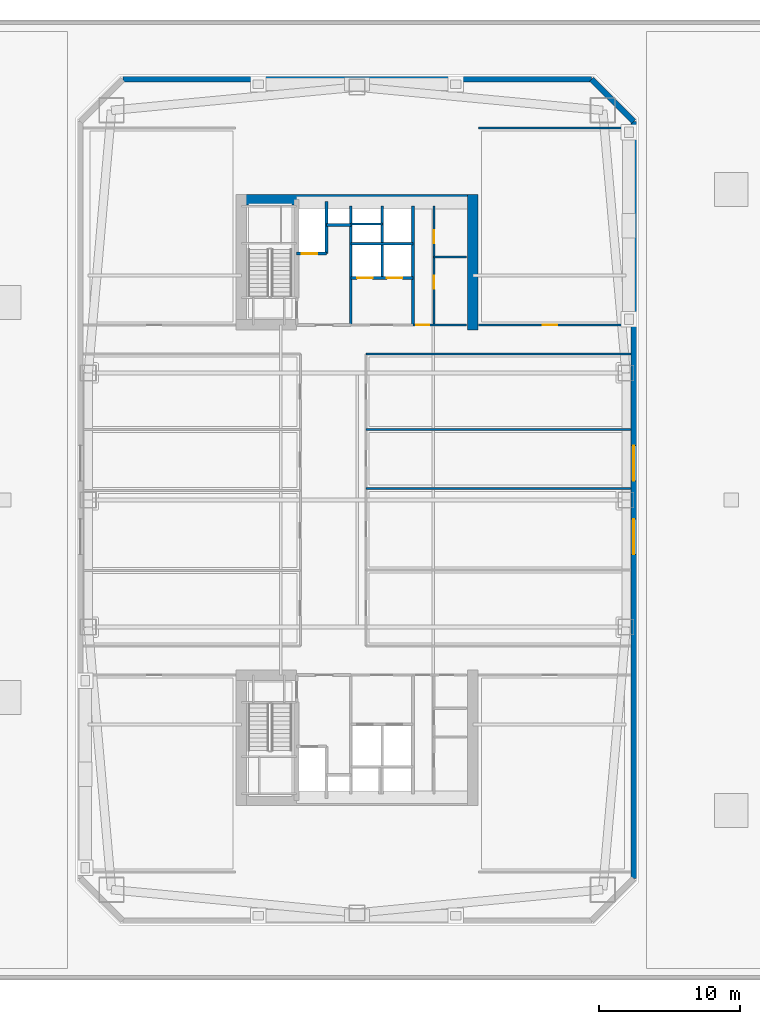
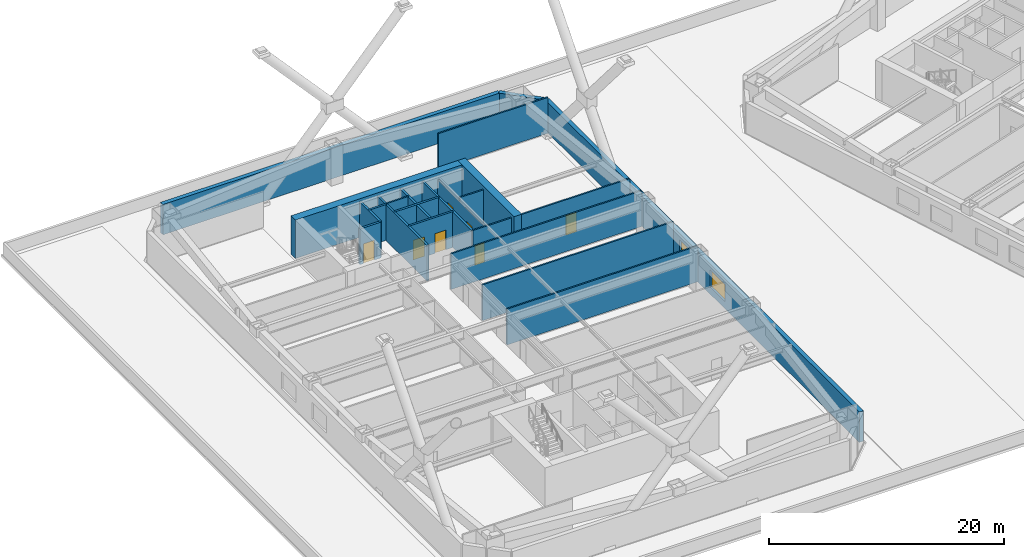
# One storey, part 8 of 20: 22 walls, 7 doors, 2 windows, 9 openings.
"""IFC4 building model written with IfcOpenShell, lengths in metres."""

from ifc_helpers import new_model, si_unit, direction, frame, frame_2d, origin, place, context, subcontext, project, spatial, rectangle, extrude, material, layer, layer_set, type_object, element, fill, save


model = new_model("IFC4")

# Units and contexts
model_context = context("Model", 3, precision=1e-05, world=origin(), true_north=direction((0.0, 1.0)))
body_context = subcontext(model_context, "Body", "Model", "MODEL_VIEW")
ifc_project = project(units=[si_unit("LENGTHUNIT", "METRE"), si_unit("AREAUNIT", "SQUARE_METRE"), si_unit("VOLUMEUNIT", "CUBIC_METRE"), si_unit("PLANEANGLEUNIT", "RADIAN"), si_unit("MASSUNIT", "GRAM", prefix="KILO")], contexts=[model_context])

# Site, building, storey
site_placement = place(None, origin())
site = spatial("IfcSite", under=ifc_project, at=site_placement, CompositionType="ELEMENT")
building_placement = place(site_placement, origin())
building = spatial("IfcBuilding", under=site, at=building_placement, Name="Qiaolan Cultural Towers", CompositionType="ELEMENT")
storey_placement = place(building_placement, frame((0.0, 0.0, 26.0)))
storey = spatial("IfcBuildingStorey", under=building, at=storey_placement, Name="L05", CompositionType="ELEMENT", Elevation=26.0)

# Walls
ifc_material_1 = material(Name="Concrete C60", Category="concrete")
ifc_layer_1 = layer(ifc_material_1, 0.75)
ifc_layer_set_1 = layer_set([ifc_layer_1], Name="Concrete C60")
wall_type_1 = type_object("IfcWallType", Name="WL-CORE-750", PredefinedType="SHEAR", material=ifc_layer_set_1)
wall_1_placement = place(storey_placement, frame((21.425048828125, 55.280029296875, 0.0), z_axis=(0.0, 0.0, 1.0), x_axis=(1.0, 0.0, 0.0)))
element("IfcWall", 1, at=wall_1_placement, inside=storey, type_object=wall_type_1, Name="L05 T1-CN Outer Core Shear Wall", PredefinedType="SHEAR", context=body_context, shape_type="SweptSolid", body=[
    extrude(rectangle(XDim=17.14990234375, YDim=0.75, at=frame_2d((8.574951171875, 0.0))), origin(), (0.0, 0.0, 1.0), 4.0),
])
wall_2_placement = place(storey_placement, frame((38.199951171875, 46.02490234375, 0.0), z_axis=(0.0, 0.0, 1.0), x_axis=(0.0, 1.0, 0.0)))
element("IfcWall", 2, at=wall_2_placement, inside=storey, type_object=wall_type_1, Name="L05 T1-CN East Core Shear Wall", PredefinedType="SHEAR", context=body_context, shape_type="SweptSolid", body=[
    extrude(rectangle(XDim=9.630126953125, YDim=0.75, at=frame_2d((4.81494140625, 0.0))), origin(), (0.0, 0.0, 1.0), 4.0),
])
ifc_material_2 = material(Name="Precast Concrete C50 Honed Stone Pier", Category="masonry")
ifc_layer_2 = layer(ifc_material_2, 0.39990234375)
ifc_layer_set_2 = layer_set([ifc_layer_2], Name="Precast Concrete C50 Honed Stone Pier")
wall_type_2 = type_object("IfcWallType", Name="WL-EXT-PIER-400", PredefinedType="SOLIDWALL", material=ifc_layer_set_2)
wall_3_placement = place(storey_placement, frame((13.39990234375, 63.800048828125, 0.0), z_axis=(0.0, 0.0, 1.0), x_axis=(1.0, 0.0, 0.0)))
element("IfcWall", 3, at=wall_3_placement, inside=storey, type_object=wall_type_2, Name="L05 West Tower Precast Pier Facade Wall F3", PredefinedType="SOLIDWALL", context=body_context, shape_type="SweptSolid", body=[
    extrude(rectangle(XDim=33.2001953125, YDim=0.39990234375, at=frame_2d((16.60009765625, 0.0))), origin(), (0.0, 0.0, 1.0), 3.159912109375),
])
wall_4_placement = place(storey_placement, frame((46.60009765625, 63.800048828125, 0.0), z_axis=(0.0, 0.0, 1.0), x_axis=(0.707106781187, -0.707106781187, 0.0)))
element("IfcWall", 4, at=wall_4_placement, inside=storey, type_object=wall_type_2, Name="L05 West Tower Precast Pier Facade Wall F4", PredefinedType="SOLIDWALL", context=body_context, shape_type="SweptSolid", body=[
    extrude(rectangle(XDim=4.24267578125, YDim=0.39990234375, at=frame_2d((2.121337890625, 0.0))), origin(), (0.0, 0.0, 1.0), 3.159912109375),
])

# Wall, openings, windows
wall_5_placement = place(storey_placement, frame((49.60009765625, 60.800048828125, 0.0), z_axis=(0.0, 0.0, 1.0), x_axis=(0.0, -1.0, 0.0)))
wall_5 = element("IfcWall", 5, at=wall_5_placement, inside=storey, type_object=wall_type_2, Name="L05 West Tower Precast Pier Facade Wall F5", PredefinedType="SOLIDWALL", context=body_context, shape_type="SweptSolid", body=[
    extrude(rectangle(XDim=53.60009765625, YDim=0.39990234375, at=frame_2d((26.800048828125, 0.0))), origin(), (0.0, 0.0, 1.0), 3.159912109375),
])
opening_1_placement = place(wall_5_placement, frame((28.14990234375, 0.0, 0.75)))
opening_1 = element("IfcOpeningElement", 6, at=opening_1_placement, cuts=wall_5, Name="Opening W-01", PredefinedType="OPENING", context=body_context, shape_type="SweptSolid", body=[
    extrude(rectangle(XDim=2.5, YDim=1.75, at=frame_2d((1.25, 0.875))), frame((0.0, 0.2099609375, 0.0), z_axis=(0.0, -1.0, 0.0), x_axis=(1.0, 0.0, 0.0)), (0.0, 0.0, 1.0), 0.419921875),
])
opening_2_placement = place(wall_5_placement, frame((22.949951171875, 0.0, 0.75)))
opening_2 = element("IfcOpeningElement", 7, at=opening_2_placement, cuts=wall_5, Name="Opening W-01", PredefinedType="OPENING", context=body_context, shape_type="SweptSolid", body=[
    extrude(rectangle(XDim=2.5, YDim=1.75, at=frame_2d((1.25, 0.875))), frame((0.0, 0.2099609375, 0.0), z_axis=(0.0, -1.0, 0.0), x_axis=(1.0, 0.0, 0.0)), (0.0, 0.0, 1.0), 0.419921875),
])
ifc_material_3 = material(Name="Thermally Broken Aluminium Triple Low-E Glazing", Category="aluminium")
window_type = type_object("IfcWindowType", Name="WN-CHIC-2500", PartitioningType="SINGLE_PANEL", PredefinedType="WINDOW", material=ifc_material_3)
window_1_placement = place(opening_1_placement, origin())
window_1 = element("IfcWindow", 8, at=window_1_placement, inside=storey, type_object=window_type, Name="L05 T1 E Chicago Bay Window 1", OverallHeight=1.75, OverallWidth=2.5, PartitioningType="TRIPLE_PANEL_VERTICAL", PredefinedType="WINDOW", context=body_context, shape_type="SweptSolid", body=[
    extrude(rectangle(XDim=2.5, YDim=1.75, at=frame_2d((1.25, 0.875))), frame((0.0, 0.030029296875, 0.0), z_axis=(0.0, -1.0, 0.0), x_axis=(1.0, 0.0, 0.0)), (0.0, 0.0, 1.0), 0.06005859375),
])
fill(opening_1, window_1)
window_2_placement = place(opening_2_placement, origin())
window_2 = element("IfcWindow", 9, at=window_2_placement, inside=storey, type_object=window_type, Name="L05 T1 E Chicago Bay Window 2", OverallHeight=1.75, OverallWidth=2.5, PartitioningType="TRIPLE_PANEL_VERTICAL", PredefinedType="WINDOW", context=body_context, shape_type="SweptSolid", body=[
    extrude(rectangle(XDim=2.5, YDim=1.75, at=frame_2d((1.25, 0.875))), frame((0.0, 0.030029296875, 0.0), z_axis=(0.0, -1.0, 0.0), x_axis=(1.0, 0.0, 0.0)), (0.0, 0.0, 1.0), 0.06005859375),
])
fill(opening_2, window_2)

# Wall
ifc_material_4 = material(Name="Concrete C35 Fire Wall", Category="concrete")
ifc_layer_3 = layer(ifc_material_4, 0.199951171875)
ifc_layer_set_3 = layer_set([ifc_layer_3], Name="Concrete C35 Fire Wall")
wall_type_3 = type_object("IfcWallType", Name="WL-FIRE-200", PredefinedType="PARTITIONING", material=ifc_layer_set_3)
wall_6_placement = place(storey_placement, frame((29.550048828125, 46.39990234375, 0.0), z_axis=(0.0, 0.0, 1.0), x_axis=(0.0, 1.0, 0.0)))
element("IfcWall", 10, at=wall_6_placement, inside=storey, type_object=wall_type_3, Name="L05 T1-CN Firefighting Zone Wall", PredefinedType="PARTITIONING", context=body_context, shape_type="SweptSolid", body=[
    extrude(rectangle(XDim=8.43017578125, YDim=0.199951171875, at=frame_2d((4.215087890625, 0.0))), origin(), (0.0, 0.0, 1.0), 3.72509765625),
])

# Wall, opening, door
wall_7_placement = place(storey_placement, frame((25.719970703125, 51.449951171875, 0.0), z_axis=(0.0, 0.0, 1.0), x_axis=(1.0, 0.0, 0.0)))
wall_7 = element("IfcWall", 11, at=wall_7_placement, inside=storey, type_object=wall_type_3, Name="L05 T1-CN Firefighting Shaft Front Wall", PredefinedType="PARTITIONING", context=body_context, shape_type="SweptSolid", body=[
    extrude(rectangle(XDim=2.10009765625, YDim=0.199951171875, at=frame_2d((1.050048828125, 0.0))), origin(), (0.0, 0.0, 1.0), 3.72509765625),
])
opening_3_placement = place(wall_7_placement, frame((0.35009765625, 0.0, 0.0)))
opening_3 = element("IfcOpeningElement", 12, at=opening_3_placement, cuts=wall_7, Name="Opening LD-01", PredefinedType="OPENING", context=body_context, shape_type="SweptSolid", body=[
    extrude(rectangle(XDim=1.10009765625, YDim=2.050048828125, at=frame_2d((0.550048828125, 1.02490234375))), frame((0.0, 0.10986328125, 0.0), z_axis=(0.0, -1.0, 0.0), x_axis=(1.0, 0.0, 0.0)), (0.0, 0.0, 1.0), 0.219970703125),
])
ifc_material_5 = material(Name="Brushed Stainless Steel S30408 Centre-Parting Lift Landing Door", Category="steel")
door_type_1 = type_object("IfcDoorType", Name="DR-LIFT-1100", OperationType="NOTDEFINED", PredefinedType="DOOR", material=ifc_material_5)
door_1_placement = place(opening_3_placement, origin())
door_1 = element("IfcDoor", 13, at=door_1_placement, inside=storey, type_object=door_type_1, Name="L05 FFL-W2 Firefighting Lift Landing Door", OperationType="DOUBLE_DOOR_SLIDING", OverallHeight=2.050048828125, OverallWidth=1.10009765625, PredefinedType="DOOR", context=body_context, shape_type="SweptSolid", body=[
    extrude(rectangle(XDim=1.10009765625, YDim=2.050048828125, at=frame_2d((0.550048828125, 1.02490234375))), frame((0.0, 0.02490234375, 0.0), z_axis=(0.0, -1.0, 0.0), x_axis=(1.0, 0.0, 0.0)), (0.0, 0.0, 1.0), 0.050048828125),
])
fill(opening_3, door_1)

# Walls
wall_8_placement = place(storey_placement, frame((27.820068359375, 51.449951171875, 0.0), z_axis=(0.0, 0.0, 1.0), x_axis=(0.0, 1.0, 0.0)))
element("IfcWall", 14, at=wall_8_placement, inside=storey, type_object=wall_type_3, Name="L05 T1-CN Firefighting Hoistway East Wall", PredefinedType="PARTITIONING", context=body_context, shape_type="SweptSolid", body=[
    extrude(rectangle(XDim=3.699951171875, YDim=0.199951171875, at=frame_2d((1.85009765625, 0.0))), origin(), (0.0, 0.0, 1.0), 3.72509765625),
])
wall_9_placement = place(storey_placement, frame((27.820068359375, 53.47998046875, 0.0), z_axis=(0.0, 0.0, 1.0), x_axis=(1.0, 0.0, 0.0)))
element("IfcWall", 15, at=wall_9_placement, inside=storey, type_object=wall_type_3, Name="L05 T1-CN Pressurization Shaft Front Wall", PredefinedType="PARTITIONING", context=body_context, shape_type="SweptSolid", body=[
    extrude(rectangle(XDim=1.72998046875, YDim=0.199951171875, at=frame_2d((0.864990234375, 0.0))), origin(), (0.0, 0.0, 1.0), 3.72509765625),
])
wall_10_placement = place(storey_placement, frame((33.949951171875, 46.39990234375, 0.0), z_axis=(0.0, 0.0, 1.0), x_axis=(0.0, 1.0, 0.0)))
element("IfcWall", 16, at=wall_10_placement, inside=storey, type_object=wall_type_3, Name="L05 T1-CN Lift Core East Wall", PredefinedType="PARTITIONING", context=body_context, shape_type="SweptSolid", body=[
    extrude(rectangle(XDim=8.43017578125, YDim=0.199951171875, at=frame_2d((4.215087890625, 0.0))), origin(), (0.0, 0.0, 1.0), 3.72509765625),
])

# Wall, openings, doors
wall_11_placement = place(storey_placement, frame((29.550048828125, 49.719970703125, 0.0), z_axis=(0.0, 0.0, 1.0), x_axis=(1.0, 0.0, 0.0)))
wall_11 = element("IfcWall", 17, at=wall_11_placement, inside=storey, type_object=wall_type_3, Name="L05 T1-CN Passenger Lift Shaft Front Wall", PredefinedType="PARTITIONING", context=body_context, shape_type="SweptSolid", body=[
    extrude(rectangle(XDim=4.39990234375, YDim=0.199951171875, at=frame_2d((2.199951171875, 0.0))), origin(), (0.0, 0.0, 1.0), 3.72509765625),
])
opening_4_placement = place(wall_11_placement, frame((0.449951171875, 0.0, 0.0)))
opening_4 = element("IfcOpeningElement", 18, at=opening_4_placement, cuts=wall_11, Name="Opening LD-01", PredefinedType="OPENING", context=body_context, shape_type="SweptSolid", body=[
    extrude(rectangle(XDim=1.10009765625, YDim=2.050048828125, at=frame_2d((0.550048828125, 1.02490234375))), frame((0.0, 0.10986328125, 0.0), z_axis=(0.0, -1.0, 0.0), x_axis=(1.0, 0.0, 0.0)), (0.0, 0.0, 1.0), 0.219970703125),
])
opening_5_placement = place(wall_11_placement, frame((2.550048828125, 0.0, 0.0)))
opening_5 = element("IfcOpeningElement", 19, at=opening_5_placement, cuts=wall_11, Name="Opening LD-01", PredefinedType="OPENING", context=body_context, shape_type="SweptSolid", body=[
    extrude(rectangle(XDim=1.10009765625, YDim=2.050048828125, at=frame_2d((0.550048828125, 1.02490234375))), frame((0.0, 0.10986328125, 0.0), z_axis=(0.0, -1.0, 0.0), x_axis=(1.0, 0.0, 0.0)), (0.0, 0.0, 1.0), 0.219970703125),
])
door_2_placement = place(opening_4_placement, origin())
door_2 = element("IfcDoor", 20, at=door_2_placement, inside=storey, type_object=door_type_1, Name="L05 Passenger Lift 1 Landing Door", OperationType="DOUBLE_DOOR_SLIDING", OverallHeight=2.050048828125, OverallWidth=1.10009765625, PredefinedType="DOOR", context=body_context, shape_type="SweptSolid", body=[
    extrude(rectangle(XDim=1.10009765625, YDim=2.050048828125, at=frame_2d((0.550048828125, 1.02490234375))), frame((0.0, 0.02490234375, 0.0), z_axis=(0.0, -1.0, 0.0), x_axis=(1.0, 0.0, 0.0)), (0.0, 0.0, 1.0), 0.050048828125),
])
fill(opening_4, door_2)
door_3_placement = place(opening_5_placement, origin())
door_3 = element("IfcDoor", 21, at=door_3_placement, inside=storey, type_object=door_type_1, Name="L05 Passenger Lift 2 Landing Door", OperationType="DOUBLE_DOOR_SLIDING", OverallHeight=2.050048828125, OverallWidth=1.10009765625, PredefinedType="DOOR", context=body_context, shape_type="SweptSolid", body=[
    extrude(rectangle(XDim=1.10009765625, YDim=2.050048828125, at=frame_2d((0.550048828125, 1.02490234375))), frame((0.0, 0.02490234375, 0.0), z_axis=(0.0, -1.0, 0.0), x_axis=(1.0, 0.0, 0.0)), (0.0, 0.0, 1.0), 0.050048828125),
])
fill(opening_5, door_3)

# Walls
wall_12_placement = place(storey_placement, frame((31.780029296875, 49.719970703125, 0.0), z_axis=(0.0, 0.0, 1.0), x_axis=(0.0, 1.0, 0.0)))
element("IfcWall", 22, at=wall_12_placement, inside=storey, type_object=wall_type_3, Name="L05 T1-CN Lift Shaft Divider Wall", PredefinedType="PARTITIONING", context=body_context, shape_type="SweptSolid", body=[
    extrude(rectangle(XDim=5.110107421875, YDim=0.199951171875, at=frame_2d((2.55517578125, 0.0))), origin(), (0.0, 0.0, 1.0), 3.72509765625),
])
wall_13_placement = place(storey_placement, frame((29.550048828125, 52.14990234375, 0.0), z_axis=(0.0, 0.0, 1.0), x_axis=(1.0, 0.0, 0.0)))
element("IfcWall", 23, at=wall_13_placement, inside=storey, type_object=wall_type_3, Name="L05 T1-CN Passenger Lift Shaft Back Wall", PredefinedType="PARTITIONING", context=body_context, shape_type="SweptSolid", body=[
    extrude(rectangle(XDim=4.39990234375, YDim=0.199951171875, at=frame_2d((2.199951171875, 0.0))), origin(), (0.0, 0.0, 1.0), 3.72509765625),
])
ifc_material_6 = material(Name="Autoclaved Aerated Concrete Block B06", Category="concrete")
ifc_layer_4 = layer(ifc_material_6, 0.14990234375)
ifc_layer_set_4 = layer_set([ifc_layer_4], Name="Autoclaved Aerated Concrete Block B06")
wall_type_4 = type_object("IfcWallType", Name="WL-PART-150", PredefinedType="PARTITIONING", material=ifc_layer_set_4)
wall_14_placement = place(storey_placement, frame((29.550048828125, 53.550048828125, 0.0), z_axis=(0.0, 0.0, 1.0), x_axis=(1.0, 0.0, 0.0)))
element("IfcWall", 24, at=wall_14_placement, inside=storey, type_object=wall_type_4, Name="L05 T1-CN Core Rear Riser Split", PredefinedType="PARTITIONING", context=body_context, shape_type="SweptSolid", body=[
    extrude(rectangle(XDim=2.22998046875, YDim=0.14990234375, at=frame_2d((1.114990234375, 0.0))), origin(), (0.0, 0.0, 1.0), 3.72509765625),
])

# Wall, opening, door
wall_15_placement = place(storey_placement, frame((33.949951171875, 46.39990234375, 0.0), z_axis=(0.0, 0.0, 1.0), x_axis=(1.0, 0.0, 0.0)))
wall_15 = element("IfcWall", 25, at=wall_15_placement, inside=storey, type_object=wall_type_4, Name="L05 T1-CN Sanitary Core Front Wall", PredefinedType="PARTITIONING", context=body_context, shape_type="SweptSolid", body=[
    extrude(rectangle(XDim=3.800048828125, YDim=0.14990234375, at=frame_2d((1.89990234375, 0.0))), origin(), (0.0, 0.0, 1.0), 3.72509765625),
])
opening_6_placement = place(wall_15_placement, frame((0.219970703125, 0.0, 0.0)))
opening_6 = element("IfcOpeningElement", 26, at=opening_6_placement, cuts=wall_15, Name="Opening ID-05", PredefinedType="OPENING", context=body_context, shape_type="SweptSolid", body=[
    extrude(rectangle(XDim=0.949951171875, YDim=2.050048828125, at=frame_2d((0.47509765625, 1.02490234375))), frame((0.0, 0.0849609375, 0.0), z_axis=(0.0, -1.0, 0.0), x_axis=(1.0, 0.0, 0.0)), (0.0, 0.0, 1.0), 0.169921875),
])
ifc_material_7 = material(Name="Fire-Rated Laminate Accessible Core Door", Category="timber")
door_type_2 = type_object("IfcDoorType", Name="DR-INT-950", OperationType="NOTDEFINED", PredefinedType="DOOR", material=ifc_material_7)
door_4_placement = place(opening_6_placement, origin())
door_4 = element("IfcDoor", 27, at=door_4_placement, inside=storey, type_object=door_type_2, Name="L05 Sanitary Lobby Door", OperationType="SINGLE_SWING_LEFT", OverallHeight=2.050048828125, OverallWidth=0.949951171875, PredefinedType="DOOR", context=body_context, shape_type="SweptSolid", body=[
    extrude(rectangle(XDim=0.949951171875, YDim=2.050048828125, at=frame_2d((0.47509765625, 1.02490234375))), frame((0.0, 0.02490234375, 0.0), z_axis=(0.0, -1.0, 0.0), x_axis=(1.0, 0.0, 0.0)), (0.0, 0.0, 1.0), 0.050048828125),
])
fill(opening_6, door_4)

# Wall, openings, doors
wall_16_placement = place(storey_placement, frame((35.449951171875, 46.39990234375, 0.0), z_axis=(0.0, 0.0, 1.0), x_axis=(0.0, 1.0, 0.0)))
wall_16 = element("IfcWall", 28, at=wall_16_placement, inside=storey, type_object=wall_type_4, Name="L05 T1-CN Washroom Split Wall", PredefinedType="PARTITIONING", context=body_context, shape_type="SweptSolid", body=[
    extrude(rectangle(XDim=8.43017578125, YDim=0.14990234375, at=frame_2d((4.215087890625, 0.0))), origin(), (0.0, 0.0, 1.0), 3.364990234375),
])
opening_7_placement = place(wall_16_placement, frame((2.550048828125, 0.0, 0.0)))
opening_7 = element("IfcOpeningElement", 29, at=opening_7_placement, cuts=wall_16, Name="Opening ID-05", PredefinedType="OPENING", context=body_context, shape_type="SweptSolid", body=[
    extrude(rectangle(XDim=0.949951171875, YDim=2.050048828125, at=frame_2d((0.47509765625, 1.02490234375))), frame((0.0, 0.0849609375, 0.0), z_axis=(0.0, -1.0, 0.0), x_axis=(1.0, 0.0, 0.0)), (0.0, 0.0, 1.0), 0.169921875),
])
opening_8_placement = place(wall_16_placement, frame((5.800048828125, 0.0, 0.0)))
opening_8 = element("IfcOpeningElement", 30, at=opening_8_placement, cuts=wall_16, Name="Opening ID-06", PredefinedType="OPENING", context=body_context, shape_type="SweptSolid", body=[
    extrude(rectangle(XDim=0.89990234375, YDim=2.050048828125, at=frame_2d((0.449951171875, 1.02490234375))), frame((0.0, 0.0849609375, 0.0), z_axis=(0.0, -1.0, 0.0), x_axis=(1.0, 0.0, 0.0)), (0.0, 0.0, 1.0), 0.169921875),
])
ifc_material_8 = material(Name="Fire-Rated Laminate Core Service Door", Category="timber")
door_type_3 = type_object("IfcDoorType", Name="DR-INT-900", OperationType="NOTDEFINED", PredefinedType="DOOR", material=ifc_material_8)
door_5_placement = place(opening_8_placement, origin())
door_5 = element("IfcDoor", 31, at=door_5_placement, inside=storey, type_object=door_type_3, Name="L05 First-Aid Room Door", OperationType="SINGLE_SWING_RIGHT", OverallHeight=2.050048828125, OverallWidth=0.89990234375, PredefinedType="DOOR", context=body_context, shape_type="SweptSolid", body=[
    extrude(rectangle(XDim=0.89990234375, YDim=2.050048828125, at=frame_2d((0.449951171875, 1.02490234375))), frame((0.0, 0.02490234375, 0.0), z_axis=(0.0, -1.0, 0.0), x_axis=(1.0, 0.0, 0.0)), (0.0, 0.0, 1.0), 0.050048828125),
])
fill(opening_8, door_5)
door_6_placement = place(opening_7_placement, origin())
door_6 = element("IfcDoor", 32, at=door_6_placement, inside=storey, type_object=door_type_2, Name="L05 Accessible Washroom Door", OperationType="SINGLE_SWING_LEFT", OverallHeight=2.050048828125, OverallWidth=0.949951171875, PredefinedType="DOOR", context=body_context, shape_type="SweptSolid", body=[
    extrude(rectangle(XDim=0.949951171875, YDim=2.050048828125, at=frame_2d((0.47509765625, 1.02490234375))), frame((0.0, 0.02490234375, 0.0), z_axis=(0.0, -1.0, 0.0), x_axis=(1.0, 0.0, 0.0)), (0.0, 0.0, 1.0), 0.050048828125),
])
fill(opening_7, door_6)

# Walls
wall_17_placement = place(storey_placement, frame((35.449951171875, 51.199951171875, 0.0), z_axis=(0.0, 0.0, 1.0), x_axis=(1.0, 0.0, 0.0)))
element("IfcWall", 33, at=wall_17_placement, inside=storey, type_object=wall_type_4, Name="L05 T1-CN First-Aid Wall", PredefinedType="PARTITIONING", context=body_context, shape_type="SweptSolid", body=[
    extrude(rectangle(XDim=2.300048828125, YDim=0.14990234375, at=frame_2d((1.14990234375, 0.0))), origin(), (0.0, 0.0, 1.0), 3.72509765625),
])
wall_18_placement = place(storey_placement, frame((38.60009765625, 60.35009765625, 0.0), z_axis=(0.0, 0.0, 1.0), x_axis=(1.0, 0.0, 0.0)))
element("IfcWall", 34, at=wall_18_placement, inside=storey, type_object=wall_type_4, Name="L05 T1 Flank Wall FLK-NE", PredefinedType="PARTITIONING", context=body_context, shape_type="SweptSolid", body=[
    extrude(rectangle(XDim=10.7998046875, YDim=0.14990234375, at=frame_2d((5.39990234375, 0.0))), origin(), (0.0, 0.0, 1.0), 3.72509765625),
])

# Wall, opening, door
wall_19_placement = place(storey_placement, frame((38.60009765625, 46.39990234375, 0.0), z_axis=(0.0, 0.0, 1.0), x_axis=(1.0, 0.0, 0.0)))
wall_19 = element("IfcWall", 35, at=wall_19_placement, inside=storey, type_object=wall_type_4, Name="L05 T1 Flank Front FLK-NE", PredefinedType="PARTITIONING", context=body_context, shape_type="SweptSolid", body=[
    extrude(rectangle(XDim=10.7998046875, YDim=0.14990234375, at=frame_2d((5.39990234375, 0.0))), origin(), (0.0, 0.0, 1.0), 3.72509765625),
])
opening_9_placement = place(wall_19_placement, frame((4.535888671875, 0.0, 0.0)))
opening_9 = element("IfcOpeningElement", 36, at=opening_9_placement, cuts=wall_19, Name="Opening ID-07", PredefinedType="OPENING", context=body_context, shape_type="SweptSolid", body=[
    extrude(rectangle(XDim=1.050048828125, YDim=2.050048828125, at=frame_2d((0.52490234375, 1.02490234375))), frame((0.0, 0.0849609375, 0.0), z_axis=(0.0, -1.0, 0.0), x_axis=(1.0, 0.0, 0.0)), (0.0, 0.0, 1.0), 0.169921875),
])
ifc_material_9 = material(Name="Oak Veneer Consultation Door", Category="timber")
door_type_4 = type_object("IfcDoorType", Name="DR-INT-1050", OperationType="NOTDEFINED", PredefinedType="DOOR", material=ifc_material_9)
door_7_placement = place(opening_9_placement, origin())
door_7 = element("IfcDoor", 37, at=door_7_placement, inside=storey, type_object=door_type_4, Name="L05 T1 Corner Studio Door", OperationType="SINGLE_SWING_LEFT", OverallHeight=2.050048828125, OverallWidth=1.050048828125, PredefinedType="DOOR", context=body_context, shape_type="SweptSolid", body=[
    extrude(rectangle(XDim=1.050048828125, YDim=2.050048828125, at=frame_2d((0.52490234375, 1.02490234375))), frame((0.0, 0.02490234375, 0.0), z_axis=(0.0, -1.0, 0.0), x_axis=(1.0, 0.0, 0.0)), (0.0, 0.0, 1.0), 0.050048828125),
])
fill(opening_9, door_7)

# Walls
for number, where, z_axis, x_axis, name in (
    (38, (30.625, 44.35009765625, 0.0), (0.0, 0.0, 1.0), (1.0, 0.0, 0.0), "L05 T1 North Corridor Right Wall"),
    (39, (30.625, 34.827880859375, 0.0), (0.0, 0.0, 1.0), (1.0, 0.0, 0.0), "L05 T1 East Partition 2"),
    (40, (30.625, 39.0, 0.0), (0.0, 0.0, 1.0), (1.0, 0.0, 0.0), "L05 T1 East Partition 3"),
):
    element("IfcWall", number, at=place(storey_placement, frame(where, z_axis=z_axis, x_axis=x_axis)), inside=storey, type_object=wall_type_4, Name=name, PredefinedType="PARTITIONING", context=body_context, shape_type="SweptSolid", body=[
        extrude(rectangle(XDim=18.77490234375, YDim=0.14990234375, at=frame_2d((9.387451171875, 0.0))), origin(), (0.0, 0.0, 1.0), 3.72509765625),
    ])

save(model, "model.ifc")
